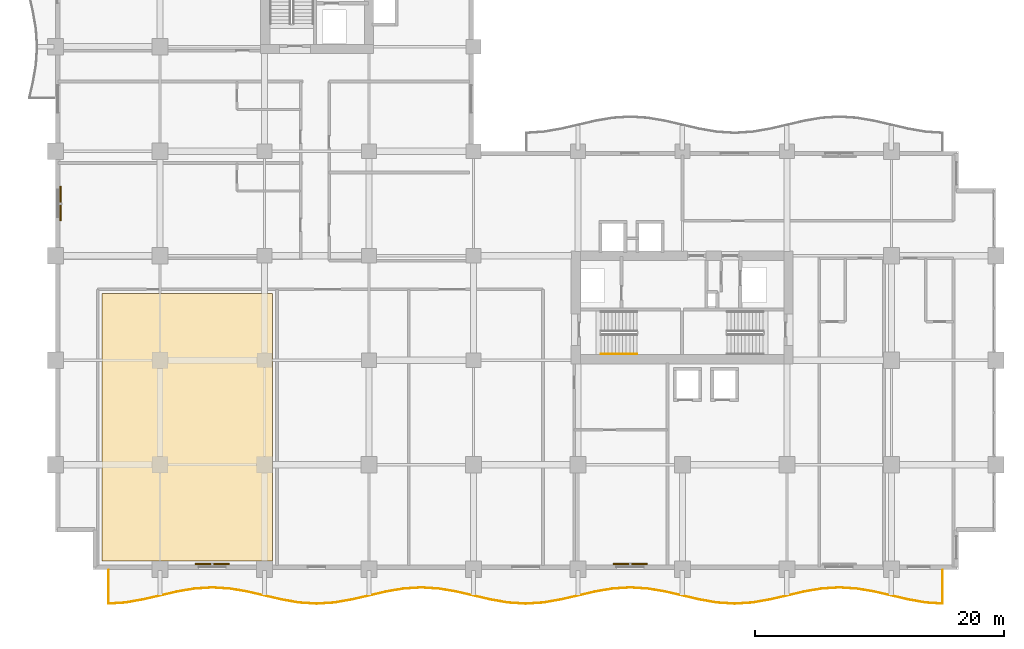
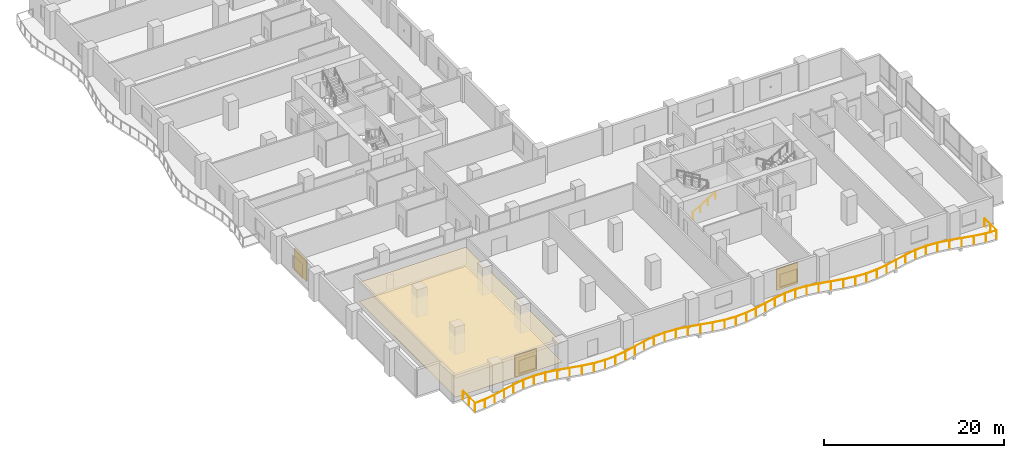
# One storey, part 21 of 24: 3 shading devices, 2 coverings, 2 railings.
"""IFC4 building model written with IfcOpenShell, lengths in metres."""

from ifc_helpers import new_model, si_unit, direction, frame, origin, origin_2d, place, context, subcontext, project, spatial, polyline, rectangle, circle, outline, extrude, material, layer, layer_set, type_object, element, save


model = new_model("IFC4")

# Units and contexts
model_context = context("Model", 3, precision=1e-05, world=origin(), true_north=direction((0.0, 1.0)))
body_context = subcontext(model_context, "Body", "Model", "MODEL_VIEW")
ifc_project = project(units=[si_unit("LENGTHUNIT", "METRE"), si_unit("AREAUNIT", "SQUARE_METRE"), si_unit("VOLUMEUNIT", "CUBIC_METRE"), si_unit("PLANEANGLEUNIT", "RADIAN"), si_unit("MASSUNIT", "GRAM", prefix="KILO")], contexts=[model_context])

# Site, building, storey
site_placement = place(None, origin())
site = spatial("IfcSite", under=ifc_project, at=site_placement, CompositionType="ELEMENT")
building_placement = place(site_placement, origin())
building = spatial("IfcBuilding", under=site, at=building_placement, Name="Koriwani Terraces Tower", CompositionType="ELEMENT")
storey_placement = place(building_placement, frame((0.0, 0.0, 149.39990234375)))
storey = spatial("IfcBuildingStorey", under=building, at=storey_placement, Name="L36", CompositionType="ELEMENT", Elevation=149.39990234375)

# Coverings
ifc_material_1 = material(Name="Fire-Rated Acoustic Gypsum Partition", Category="masonry")
ifc_layer_1 = layer(ifc_material_1, 0.02490234375, Name="Fire-Rated Acoustic Gypsum Partition")
ifc_layer_set_1 = layer_set([ifc_layer_1], Name="Fire-Rated Acoustic Gypsum Partition")
covering_type_1 = type_object("IfcCoveringType", Name="CEILING_ACOUSTIC_GYPSUM", PredefinedType="CEILING", material=ifc_layer_set_1)
covering_1_placement = place(storey_placement, frame((0.0, 0.0, 2.60498046875)))
element("IfcCovering", 1, at=covering_1_placement, inside=storey, type_object=covering_type_1, Name="L36 Suspended Acoustic Gypsum Ceiling", PredefinedType="CEILING", context=body_context, shape_type="SweptSolid", body=[
    extrude(outline(polyline([(3.75, 0.64990234375), (3.75, 22.14990234375), (17.449951171875, 22.14990234375), (17.449951171875, 0.64990234375), (3.75, 0.64990234375)])), origin(), (0.0, 0.0, 1.0), 0.025146484375),
])
ifc_material_2 = material(Name="Polished Andean Slate Flooring", Category="masonry")
ifc_layer_2 = layer(ifc_material_2, 0.030029296875, Name="Polished Andean Slate Flooring")
ifc_layer_set_2 = layer_set([ifc_layer_2], Name="Polished Andean Slate Flooring")
covering_type_2 = type_object("IfcCoveringType", Name="FLOORING_ANDEAN_STONE", PredefinedType="FLOORING", material=ifc_layer_set_2)
covering_2_placement = place(storey_placement, origin())
element("IfcCovering", 2, at=covering_2_placement, inside=storey, type_object=covering_type_2, Name="L36 Polished Andean Slate Floor Finish", PredefinedType="FLOORING", context=body_context, shape_type="SweptSolid", body=[
    extrude(outline(polyline([(3.75, 0.64990234375), (3.75, 22.14990234375), (17.449951171875, 22.14990234375), (17.449951171875, 0.64990234375), (3.75, 0.64990234375)])), origin(), (0.0, 0.0, 1.0), 0.030029296875),
])

# Railings
ifc_material_3 = material(Name="Steel ASTM A572 Grade 50", Category="steel")
railing_type_1 = type_object("IfcRailingType", Name="GUARD_BALUSTRADE_1150", PredefinedType="BALUSTRADE", material=ifc_material_3)
railing_1_placement = place(storey_placement, frame((4.280029296875, -0.080078125, 0.0)))
element("IfcRailing", 3, at=railing_1_placement, inside=storey, type_object=railing_type_1, Name="L36 Balcony Perimeter Safety Balustrade (S)", PredefinedType="BALUSTRADE", context=body_context, shape_type="SweptSolid", body=[
    extrude(circle(Radius=0.02392578125, at=origin_2d()), frame((0.0, 0.0, 1.1259765625), z_axis=(0.0, -1.0, 0.0), x_axis=(1.0, 0.0, 0.0)), (0.0, 0.0, 1.0), 2.684814453125),
    extrude(circle(Radius=0.02392578125, at=origin_2d()), frame((0.0, -2.684814453125, 1.1259765625), z_axis=(0.998070619723, 0.062088952689, 0.0), x_axis=(-0.062088952689, 0.998070619723, 0.0)), (0.0, 0.0, 1.0), 1.313232421875),
    extrude(circle(Radius=0.02392578125, at=origin_2d()), frame((1.310791015625, -2.603271484375, 1.1259765625), z_axis=(0.985861269125, 0.167563594016, 0.0), x_axis=(-0.167563594016, 0.985861269125, 0.0)), (0.0, 0.0, 1.0), 1.413330078125),
    extrude(circle(Radius=0.02392578125, at=origin_2d()), frame((2.7041015625, -2.366455078125, 1.1259765625), z_axis=(0.974105551615, 0.226093729043, 0.0), x_axis=(-0.226093729043, 0.974105551615, 0.0)), (0.0, 0.0, 1.0), 2.87451171875),
    extrude(circle(Radius=0.02392578125, at=origin_2d()), frame((5.504150390625, -1.716552734375, 1.1259765625), z_axis=(0.985871108269, 0.16750569507, 0.0), x_axis=(-0.16750569507, 0.985871108269, 0.0)), (0.0, 0.0, 1.0), 1.427001953125),
    extrude(circle(Radius=0.02392578125, at=origin_2d()), frame((6.910888671875, -1.4775390625, 1.1259765625), z_axis=(0.9980820707, 0.061904605217, 0.0), x_axis=(-0.061904605217, 0.9980820707, 0.0)), (0.0, 0.0, 1.0), 1.411865234375),
    extrude(circle(Radius=0.02392578125, at=origin_2d()), frame((8.320068359375, -1.39013671875, 1.1259765625), z_axis=(0.9980820707, -0.061904605217, 0.0), x_axis=(0.061904605217, 0.9980820707, 0.0)), (0.0, 0.0, 1.0), 1.411865234375),
    extrude(circle(Radius=0.02392578125, at=origin_2d()), frame((9.729248046875, -1.4775390625, 1.1259765625), z_axis=(0.985866306337, -0.167533954852, 0.0), x_axis=(0.167533954852, 0.985866306337, 0.0)), (0.0, 0.0, 1.0), 1.4267578125),
    extrude(circle(Radius=0.02392578125, at=origin_2d()), frame((11.1357421875, -1.716552734375, 1.1259765625), z_axis=(0.974105551615, -0.226093729043, 0.0), x_axis=(0.226093729043, 0.974105551615, 0.0)), (0.0, 0.0, 1.0), 2.87451171875),
    extrude(circle(Radius=0.02392578125, at=origin_2d()), frame((13.935791015625, -2.366455078125, 1.1259765625), z_axis=(0.985861269125, -0.167563594016, 0.0), x_axis=(0.167563594016, 0.985861269125, 0.0)), (0.0, 0.0, 1.0), 1.413330078125),
    extrude(circle(Radius=0.02392578125, at=origin_2d()), frame((15.3291015625, -2.603271484375, 1.1259765625), z_axis=(0.998075009192, -0.062018352335, 0.0), x_axis=(0.062018352335, 0.998075009192, 0.0)), (0.0, 0.0, 1.0), 1.3935546875),
    extrude(circle(Radius=0.02392578125, at=origin_2d()), frame((16.719970703125, -2.689697265625, 1.1259765625), z_axis=(0.998075009192, 0.062018352335, 0.0), x_axis=(-0.062018352335, 0.998075009192, 0.0)), (0.0, 0.0, 1.0), 1.3935546875),
    extrude(circle(Radius=0.02392578125, at=origin_2d()), frame((18.11083984375, -2.603271484375, 1.1259765625), z_axis=(0.985861269125, 0.167563594016, 0.0), x_axis=(-0.167563594016, 0.985861269125, 0.0)), (0.0, 0.0, 1.0), 1.413330078125),
    extrude(circle(Radius=0.02392578125, at=origin_2d()), frame((19.504150390625, -2.366455078125, 1.1259765625), z_axis=(0.974105551615, 0.226093729043, 0.0), x_axis=(-0.226093729043, 0.974105551615, 0.0)), (0.0, 0.0, 1.0), 2.87451171875),
    extrude(circle(Radius=0.02392578125, at=origin_2d()), frame((22.30419921875, -1.716552734375, 1.1259765625), z_axis=(0.985866306337, 0.167533954852, 0.0), x_axis=(-0.167533954852, 0.985866306337, 0.0)), (0.0, 0.0, 1.0), 1.4267578125),
    extrude(circle(Radius=0.02392578125, at=origin_2d()), frame((23.710693359375, -1.4775390625, 1.1259765625), z_axis=(0.9980820707, 0.061904605217, 0.0), x_axis=(-0.061904605217, 0.9980820707, 0.0)), (0.0, 0.0, 1.0), 1.411865234375),
    extrude(circle(Radius=0.02392578125, at=origin_2d()), frame((25.119873046875, -1.39013671875, 1.1259765625), z_axis=(0.9980820707, -0.061904605217, 0.0), x_axis=(0.061904605217, 0.9980820707, 0.0)), (0.0, 0.0, 1.0), 1.411865234375),
    extrude(circle(Radius=0.02392578125, at=origin_2d()), frame((26.529052734375, -1.4775390625, 1.1259765625), z_axis=(0.985871108269, -0.16750569507, 0.0), x_axis=(0.16750569507, 0.985871108269, 0.0)), (0.0, 0.0, 1.0), 1.427001953125),
    extrude(circle(Radius=0.02392578125, at=origin_2d()), frame((27.935791015625, -1.716552734375, 1.1259765625), z_axis=(0.974105551615, -0.226093729043, 0.0), x_axis=(0.226093729043, 0.974105551615, 0.0)), (0.0, 0.0, 1.0), 2.87451171875),
    extrude(circle(Radius=0.02392578125, at=origin_2d()), frame((30.73583984375, -2.366455078125, 1.1259765625), z_axis=(0.985861269125, -0.167563594016, 0.0), x_axis=(0.167563594016, 0.985861269125, 0.0)), (0.0, 0.0, 1.0), 1.413330078125),
    extrude(circle(Radius=0.02392578125, at=origin_2d()), frame((32.129150390625, -2.603271484375, 1.1259765625), z_axis=(0.998075009192, -0.062018352335, 0.0), x_axis=(0.062018352335, 0.998075009192, 0.0)), (0.0, 0.0, 1.0), 1.3935546875),
    extrude(circle(Radius=0.02392578125, at=origin_2d()), frame((33.52001953125, -2.689697265625, 1.1259765625), z_axis=(0.998075009192, 0.062018352335, 0.0), x_axis=(-0.062018352335, 0.998075009192, 0.0)), (0.0, 0.0, 1.0), 1.3935546875),
    extrude(circle(Radius=0.02392578125, at=origin_2d()), frame((34.910888671875, -2.603271484375, 1.1259765625), z_axis=(0.985861269125, 0.167563594016, 0.0), x_axis=(-0.167563594016, 0.985861269125, 0.0)), (0.0, 0.0, 1.0), 1.413330078125),
    extrude(circle(Radius=0.02392578125, at=origin_2d()), frame((36.30419921875, -2.366455078125, 1.1259765625), z_axis=(0.974105551615, 0.226093729043, 0.0), x_axis=(-0.226093729043, 0.974105551615, 0.0)), (0.0, 0.0, 1.0), 2.87451171875),
    extrude(circle(Radius=0.02392578125, at=origin_2d()), frame((39.104248046875, -1.716552734375, 1.1259765625), z_axis=(0.985866306337, 0.167533954852, 0.0), x_axis=(-0.167533954852, 0.985866306337, 0.0)), (0.0, 0.0, 1.0), 1.4267578125),
    extrude(circle(Radius=0.02392578125, at=origin_2d()), frame((40.5107421875, -1.4775390625, 1.1259765625), z_axis=(0.9980820707, 0.061904605217, 0.0), x_axis=(-0.061904605217, 0.9980820707, 0.0)), (0.0, 0.0, 1.0), 1.411865234375),
    extrude(circle(Radius=0.02392578125, at=origin_2d()), frame((41.919921875, -1.39013671875, 1.1259765625), z_axis=(0.9980820707, -0.061904605217, 0.0), x_axis=(0.061904605217, 0.9980820707, 0.0)), (0.0, 0.0, 1.0), 1.411865234375),
    extrude(circle(Radius=0.02392578125, at=origin_2d()), frame((43.3291015625, -1.4775390625, 1.1259765625), z_axis=(0.985866306337, -0.167533954852, 0.0), x_axis=(0.167533954852, 0.985866306337, 0.0)), (0.0, 0.0, 1.0), 1.4267578125),
    extrude(circle(Radius=0.02392578125, at=origin_2d()), frame((44.735595703125, -1.716552734375, 1.1259765625), z_axis=(0.974109892753, -0.226075024805, 0.0), x_axis=(0.226075024805, 0.974109892753, 0.0)), (0.0, 0.0, 1.0), 2.874755859375),
    extrude(circle(Radius=0.02392578125, at=origin_2d()), frame((47.535888671875, -2.366455078125, 1.1259765625), z_axis=(0.985861269125, -0.167563594016, 0.0), x_axis=(0.167563594016, 0.985861269125, 0.0)), (0.0, 0.0, 1.0), 1.413330078125),
    extrude(circle(Radius=0.02392578125, at=origin_2d()), frame((48.92919921875, -2.603271484375, 1.1259765625), z_axis=(0.998075009192, -0.062018352335, 0.0), x_axis=(0.062018352335, 0.998075009192, 0.0)), (0.0, 0.0, 1.0), 1.3935546875),
    extrude(circle(Radius=0.02392578125, at=origin_2d()), frame((50.320068359375, -2.689697265625, 1.1259765625), z_axis=(0.998074335174, 0.062029198499, 0.0), x_axis=(-0.062029198499, 0.998074335174, 0.0)), (0.0, 0.0, 1.0), 1.393310546875),
    extrude(circle(Radius=0.02392578125, at=origin_2d()), frame((51.710693359375, -2.603271484375, 1.1259765625), z_axis=(0.985866118171, 0.167535062128, 0.0), x_axis=(-0.167535062128, 0.985866118171, 0.0)), (0.0, 0.0, 1.0), 1.41357421875),
    extrude(circle(Radius=0.02392578125, at=origin_2d()), frame((53.104248046875, -2.366455078125, 1.1259765625), z_axis=(0.974105551615, 0.226093729043, 0.0), x_axis=(-0.226093729043, 0.974105551615, 0.0)), (0.0, 0.0, 1.0), 2.87451171875),
    extrude(circle(Radius=0.02392578125, at=origin_2d()), frame((55.904296875, -1.716552734375, 1.1259765625), z_axis=(0.985866306337, 0.167533954852, 0.0), x_axis=(-0.167533954852, 0.985866306337, 0.0)), (0.0, 0.0, 1.0), 1.4267578125),
    extrude(circle(Radius=0.02392578125, at=origin_2d()), frame((57.310791015625, -1.4775390625, 1.1259765625), z_axis=(0.9980820707, 0.061904605217, 0.0), x_axis=(-0.061904605217, 0.9980820707, 0.0)), (0.0, 0.0, 1.0), 1.411865234375),
    extrude(circle(Radius=0.02392578125, at=origin_2d()), frame((58.719970703125, -1.39013671875, 1.1259765625), z_axis=(0.9980820707, -0.061904605217, 0.0), x_axis=(0.061904605217, 0.9980820707, 0.0)), (0.0, 0.0, 1.0), 1.411865234375),
    extrude(circle(Radius=0.02392578125, at=origin_2d()), frame((60.129150390625, -1.4775390625, 1.1259765625), z_axis=(0.985866306337, -0.167533954852, 0.0), x_axis=(0.167533954852, 0.985866306337, 0.0)), (0.0, 0.0, 1.0), 1.4267578125),
    extrude(circle(Radius=0.02392578125, at=origin_2d()), frame((61.53564453125, -1.716552734375, 1.1259765625), z_axis=(0.974105551615, -0.226093729043, 0.0), x_axis=(0.226093729043, 0.974105551615, 0.0)), (0.0, 0.0, 1.0), 2.87451171875),
    extrude(circle(Radius=0.02392578125, at=origin_2d()), frame((64.335693359375, -2.366455078125, 1.1259765625), z_axis=(0.985866118171, -0.167535062128, 0.0), x_axis=(0.167535062128, 0.985866118171, 0.0)), (0.0, 0.0, 1.0), 1.41357421875),
    extrude(circle(Radius=0.02392578125, at=origin_2d()), frame((65.729248046875, -2.603271484375, 1.1259765625), z_axis=(0.998070619723, -0.062088952689, 0.0), x_axis=(0.062088952689, 0.998070619723, 0.0)), (0.0, 0.0, 1.0), 1.313232421875),
    extrude(circle(Radius=0.02392578125, at=origin_2d()), frame((67.0400390625, -2.684814453125, 1.1259765625), z_axis=(0.0, 1.0, 0.0), x_axis=(-1.0, 0.0, 0.0)), (0.0, 0.0, 1.0), 2.684814453125),
    extrude(circle(Radius=0.02099609375, at=origin_2d()), origin(), (0.0, 0.0, 1.0), 1.101806640625),
    extrude(circle(Radius=0.02099609375, at=origin_2d()), frame((0.0, -1.34228515625, 0.0)), (0.0, 0.0, 1.0), 1.101806640625),
    extrude(circle(Radius=0.02099609375, at=origin_2d()), frame((0.0, -2.684814453125, 0.0)), (0.0, 0.0, 1.0), 1.101806640625),
    extrude(circle(Radius=0.02099609375, at=origin_2d()), frame((1.310791015625, -2.603271484375, 0.0)), (0.0, 0.0, 1.0), 1.101806640625),
    extrude(circle(Radius=0.02099609375, at=origin_2d()), frame((2.7041015625, -2.366455078125, 0.0)), (0.0, 0.0, 1.0), 1.101806640625),
    extrude(circle(Radius=0.02099609375, at=origin_2d()), frame((4.10400390625, -2.04150390625, 0.0)), (0.0, 0.0, 1.0), 1.101806640625),
    extrude(circle(Radius=0.02099609375, at=origin_2d()), frame((5.504150390625, -1.716552734375, 0.0)), (0.0, 0.0, 1.0), 1.101806640625),
    extrude(circle(Radius=0.02099609375, at=origin_2d()), frame((6.910888671875, -1.4775390625, 0.0)), (0.0, 0.0, 1.0), 1.101806640625),
    extrude(circle(Radius=0.02099609375, at=origin_2d()), frame((8.320068359375, -1.39013671875, 0.0)), (0.0, 0.0, 1.0), 1.101806640625),
    extrude(circle(Radius=0.02099609375, at=origin_2d()), frame((9.729248046875, -1.4775390625, 0.0)), (0.0, 0.0, 1.0), 1.101806640625),
    extrude(circle(Radius=0.02099609375, at=origin_2d()), frame((11.1357421875, -1.716552734375, 0.0)), (0.0, 0.0, 1.0), 1.101806640625),
    extrude(circle(Radius=0.02099609375, at=origin_2d()), frame((12.53564453125, -2.04150390625, 0.0)), (0.0, 0.0, 1.0), 1.101806640625),
    extrude(circle(Radius=0.02099609375, at=origin_2d()), frame((13.935791015625, -2.366455078125, 0.0)), (0.0, 0.0, 1.0), 1.101806640625),
    extrude(circle(Radius=0.02099609375, at=origin_2d()), frame((15.3291015625, -2.603271484375, 0.0)), (0.0, 0.0, 1.0), 1.101806640625),
    extrude(circle(Radius=0.02099609375, at=origin_2d()), frame((16.719970703125, -2.689697265625, 0.0)), (0.0, 0.0, 1.0), 1.101806640625),
    extrude(circle(Radius=0.02099609375, at=origin_2d()), frame((18.11083984375, -2.603271484375, 0.0)), (0.0, 0.0, 1.0), 1.101806640625),
    extrude(circle(Radius=0.02099609375, at=origin_2d()), frame((19.504150390625, -2.366455078125, 0.0)), (0.0, 0.0, 1.0), 1.101806640625),
    extrude(circle(Radius=0.02099609375, at=origin_2d()), frame((20.904296875, -2.04150390625, 0.0)), (0.0, 0.0, 1.0), 1.101806640625),
    extrude(circle(Radius=0.02099609375, at=origin_2d()), frame((22.30419921875, -1.716552734375, 0.0)), (0.0, 0.0, 1.0), 1.101806640625),
    extrude(circle(Radius=0.02099609375, at=origin_2d()), frame((23.710693359375, -1.4775390625, 0.0)), (0.0, 0.0, 1.0), 1.101806640625),
    extrude(circle(Radius=0.02099609375, at=origin_2d()), frame((25.119873046875, -1.39013671875, 0.0)), (0.0, 0.0, 1.0), 1.101806640625),
    extrude(circle(Radius=0.02099609375, at=origin_2d()), frame((26.529052734375, -1.4775390625, 0.0)), (0.0, 0.0, 1.0), 1.101806640625),
    extrude(circle(Radius=0.02099609375, at=origin_2d()), frame((27.935791015625, -1.716552734375, 0.0)), (0.0, 0.0, 1.0), 1.101806640625),
    extrude(circle(Radius=0.02099609375, at=origin_2d()), frame((29.3359375, -2.04150390625, 0.0)), (0.0, 0.0, 1.0), 1.101806640625),
    extrude(circle(Radius=0.02099609375, at=origin_2d()), frame((30.73583984375, -2.366455078125, 0.0)), (0.0, 0.0, 1.0), 1.101806640625),
    extrude(circle(Radius=0.02099609375, at=origin_2d()), frame((32.129150390625, -2.603271484375, 0.0)), (0.0, 0.0, 1.0), 1.101806640625),
    extrude(circle(Radius=0.02099609375, at=origin_2d()), frame((33.52001953125, -2.689697265625, 0.0)), (0.0, 0.0, 1.0), 1.101806640625),
    extrude(circle(Radius=0.02099609375, at=origin_2d()), frame((34.910888671875, -2.603271484375, 0.0)), (0.0, 0.0, 1.0), 1.101806640625),
    extrude(circle(Radius=0.02099609375, at=origin_2d()), frame((36.30419921875, -2.366455078125, 0.0)), (0.0, 0.0, 1.0), 1.101806640625),
    extrude(circle(Radius=0.02099609375, at=origin_2d()), frame((37.7041015625, -2.04150390625, 0.0)), (0.0, 0.0, 1.0), 1.101806640625),
    extrude(circle(Radius=0.02099609375, at=origin_2d()), frame((39.104248046875, -1.716552734375, 0.0)), (0.0, 0.0, 1.0), 1.101806640625),
    extrude(circle(Radius=0.02099609375, at=origin_2d()), frame((40.5107421875, -1.4775390625, 0.0)), (0.0, 0.0, 1.0), 1.101806640625),
    extrude(circle(Radius=0.02099609375, at=origin_2d()), frame((41.919921875, -1.39013671875, 0.0)), (0.0, 0.0, 1.0), 1.101806640625),
    extrude(circle(Radius=0.02099609375, at=origin_2d()), frame((43.3291015625, -1.4775390625, 0.0)), (0.0, 0.0, 1.0), 1.101806640625),
    extrude(circle(Radius=0.02099609375, at=origin_2d()), frame((44.735595703125, -1.716552734375, 0.0)), (0.0, 0.0, 1.0), 1.101806640625),
    extrude(circle(Radius=0.02099609375, at=origin_2d()), frame((46.1357421875, -2.04150390625, 0.0)), (0.0, 0.0, 1.0), 1.101806640625),
    extrude(circle(Radius=0.02099609375, at=origin_2d()), frame((47.535888671875, -2.366455078125, 0.0)), (0.0, 0.0, 1.0), 1.101806640625),
    extrude(circle(Radius=0.02099609375, at=origin_2d()), frame((48.92919921875, -2.603271484375, 0.0)), (0.0, 0.0, 1.0), 1.101806640625),
    extrude(circle(Radius=0.02099609375, at=origin_2d()), frame((50.320068359375, -2.689697265625, 0.0)), (0.0, 0.0, 1.0), 1.101806640625),
    extrude(circle(Radius=0.02099609375, at=origin_2d()), frame((51.710693359375, -2.603271484375, 0.0)), (0.0, 0.0, 1.0), 1.101806640625),
    extrude(circle(Radius=0.02099609375, at=origin_2d()), frame((53.104248046875, -2.366455078125, 0.0)), (0.0, 0.0, 1.0), 1.101806640625),
    extrude(circle(Radius=0.02099609375, at=origin_2d()), frame((54.50439453125, -2.04150390625, 0.0)), (0.0, 0.0, 1.0), 1.101806640625),
    extrude(circle(Radius=0.02099609375, at=origin_2d()), frame((55.904296875, -1.716552734375, 0.0)), (0.0, 0.0, 1.0), 1.101806640625),
    extrude(circle(Radius=0.02099609375, at=origin_2d()), frame((57.310791015625, -1.4775390625, 0.0)), (0.0, 0.0, 1.0), 1.101806640625),
    extrude(circle(Radius=0.02099609375, at=origin_2d()), frame((58.719970703125, -1.39013671875, 0.0)), (0.0, 0.0, 1.0), 1.101806640625),
    extrude(circle(Radius=0.02099609375, at=origin_2d()), frame((60.129150390625, -1.4775390625, 0.0)), (0.0, 0.0, 1.0), 1.101806640625),
    extrude(circle(Radius=0.02099609375, at=origin_2d()), frame((61.53564453125, -1.716552734375, 0.0)), (0.0, 0.0, 1.0), 1.101806640625),
    extrude(circle(Radius=0.02099609375, at=origin_2d()), frame((62.935546875, -2.04150390625, 0.0)), (0.0, 0.0, 1.0), 1.101806640625),
    extrude(circle(Radius=0.02099609375, at=origin_2d()), frame((64.335693359375, -2.366455078125, 0.0)), (0.0, 0.0, 1.0), 1.101806640625),
    extrude(circle(Radius=0.02099609375, at=origin_2d()), frame((65.729248046875, -2.603271484375, 0.0)), (0.0, 0.0, 1.0), 1.101806640625),
    extrude(circle(Radius=0.02099609375, at=origin_2d()), frame((67.0400390625, -2.684814453125, 0.0)), (0.0, 0.0, 1.0), 1.101806640625),
    extrude(circle(Radius=0.02099609375, at=origin_2d()), frame((67.0400390625, -1.34228515625, 0.0)), (0.0, 0.0, 1.0), 1.101806640625),
    extrude(circle(Radius=0.02099609375, at=origin_2d()), frame((67.0400390625, 0.0, 0.0)), (0.0, 0.0, 1.0), 1.101806640625),
])
railing_type_2 = type_object("IfcRailingType", Name="HANDRAIL_STAIR_920", PredefinedType="HANDRAIL", material=ifc_material_3)
railing_2_placement = place(storey_placement, frame((43.85009765625, 17.300048828125, 0.1728515625)))
element("IfcRailing", 4, at=railing_2_placement, inside=storey, type_object=railing_type_2, Name="L36 ST-E1 stair handrail 1", PredefinedType="HANDRAIL", context=body_context, shape_type="SweptSolid", body=[
    extrude(circle(Radius=0.02392578125, at=origin_2d()), frame((0.0, 0.0, 0.8759765625), z_axis=(0.859141464434, 0.0, 0.511738159696), x_axis=(0.0, 1.0, 0.0)), (0.0, 0.0, 1.0), 3.375244140625),
    extrude(circle(Radius=0.02099609375, at=origin_2d()), origin(), (0.0, 0.0, 1.0), 0.851806640625),
    extrude(circle(Radius=0.02099609375, at=origin_2d()), frame((0.966552734375, 0.0, 0.57568359375)), (0.0, 0.0, 1.0), 0.851806640625),
    extrude(circle(Radius=0.02099609375, at=origin_2d()), frame((1.933349609375, 0.0, 1.151611328125)), (0.0, 0.0, 1.0), 0.851806640625),
    extrude(circle(Radius=0.02099609375, at=origin_2d()), frame((2.89990234375, 0.0, 1.727294921875)), (0.0, 0.0, 1.0), 0.851806640625),
])

# Shading devices
ifc_material_4 = material(Name="Extruded Terracotta Clay", Category="masonry")
ifc_layer_3 = layer(ifc_material_4, 0.1201171875, Name="Extruded Terracotta Clay")
ifc_layer_set_3 = layer_set([ifc_layer_3], Name="Extruded Terracotta Clay")
shading_device_type = type_object("IfcShadingDeviceType", Name="TERRACOTTA_BAGUETTE_SCREEN_2800", PredefinedType="USERDEFINED", material=ifc_layer_set_3)
for number, where, z_axis, x_axis, name in (
    (5, (0.405029296875, 29.39990234375, 0.3251953125), (0.0, 0.0, 1.0), (0.0, 1.0, 0.0), "L36 Extruded Terracotta Baguette Screen (W-9)"),
    (6, (12.60009765625, 0.405029296875, 0.3251953125), (0.0, 0.0, 1.0), (-1.0, 0.0, 0.0), "L36 Extruded Terracotta Baguette Screen (S-3)"),
    (7, (46.199951171875, 0.405029296875, 0.3251953125), (0.0, 0.0, 1.0), (-1.0, 0.0, 0.0), "L36 Extruded Terracotta Baguette Screen (S-15)"),
):
    element("IfcShadingDevice", number, at=place(storey_placement, frame(where, z_axis=z_axis, x_axis=x_axis)), inside=storey, type_object=shading_device_type, Name=name, ObjectType="BAGUETTE", PredefinedType="USERDEFINED", context=body_context, shape_type="SweptSolid", body=[
        extrude(rectangle(XDim=2.760009765625, YDim=0.1201171875, at=origin_2d()), origin(), (0.0, 0.0, 1.0), 2.89990234375),
    ])

save(model, "model.ifc")
